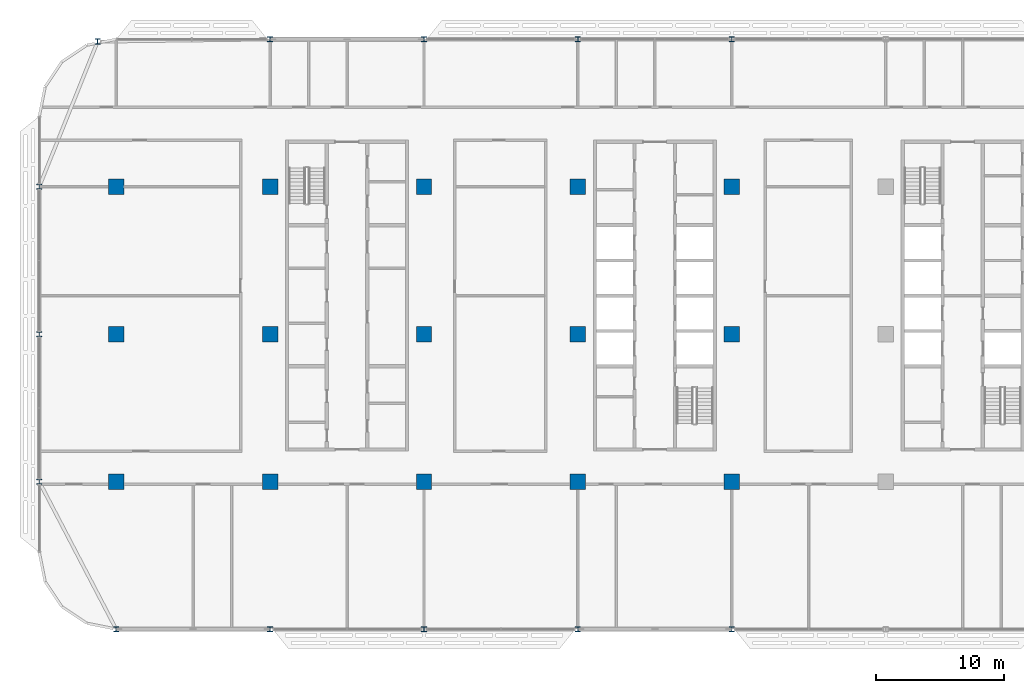
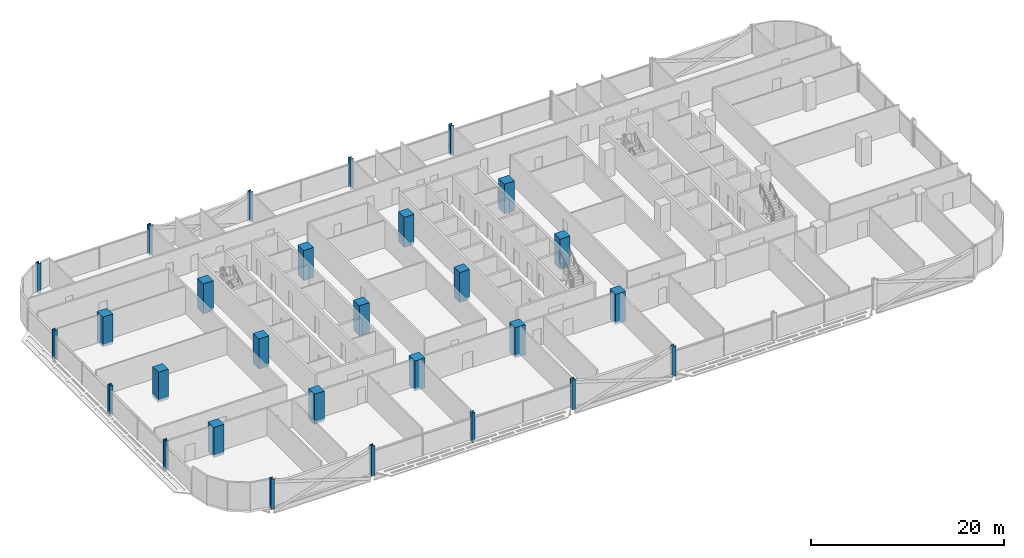
# One storey, part 1 of 27: 28 columns.
"""IFC4 building model written with IfcOpenShell, lengths in metres."""

from ifc_helpers import new_model, si_unit, direction, frame, origin, origin_2d, place, context, subcontext, project, spatial, rectangle, i_section, extrude, material, material_profile, profile_set, type_object, element, save


model = new_model("IFC4")

# Units and contexts
model_context = context("Model", 3, precision=1e-05, world=origin(), true_north=direction((0.0, 1.0)))
body_context = subcontext(model_context, "Body", "Model", "MODEL_VIEW")
ifc_project = project(units=[si_unit("LENGTHUNIT", "METRE"), si_unit("AREAUNIT", "SQUARE_METRE"), si_unit("VOLUMEUNIT", "CUBIC_METRE"), si_unit("PLANEANGLEUNIT", "RADIAN"), si_unit("MASSUNIT", "GRAM", prefix="KILO")], contexts=[model_context])

# Site, building, storey
site_placement = place(None, origin())
site = spatial("IfcSite", under=ifc_project, at=site_placement, CompositionType="ELEMENT")
building_placement = place(site_placement, origin())
building = spatial("IfcBuilding", under=site, at=building_placement, Name="Mahtab Terrace Research Tower", CompositionType="ELEMENT")
storey_placement = place(building_placement, frame((0.0, 0.0, 170.60009765625)))
storey = spatial("IfcBuildingStorey", under=building, at=storey_placement, Name="L40", CompositionType="ELEMENT", Elevation=170.60009765625)

# Columns
ifc_material_1 = material(Name="Concrete C70/85", Category="concrete")
ifc_material_profile_1 = material_profile(ifc_material_1, rectangle(XDim=1.199951171875, YDim=1.199951171875, at=origin_2d()), Name="RC column 1200x1200")
ifc_profile_set_1 = profile_set([ifc_material_profile_1], Name="Concrete C70/85")
column_type_1 = type_object("IfcColumnType", Name="RC column 1200x1200", PredefinedType="COLUMN", material=ifc_profile_set_1)
for number, where, z_axis, x_axis, name in (
    (1, (-42.0, -11.5, -0.340087890625), (0.0, 0.0, 1.0), (1.0, 0.0, 0.0), "Column RC-1A L40"),
    (2, (-42.0, 0.0, -0.340087890625), (0.0, 0.0, 1.0), (1.0, 0.0, 0.0), "Column RC-1B L40"),
    (3, (-42.0, 11.5, -0.340087890625), (0.0, 0.0, 1.0), (1.0, 0.0, 0.0), "Column RC-1C L40"),
    (4, (-30.0, -11.5, -0.340087890625), (0.0, 0.0, 1.0), (1.0, 0.0, 0.0), "Column RC-2A L40"),
    (5, (-30.0, 0.0, -0.340087890625), (0.0, 0.0, 1.0), (1.0, 0.0, 0.0), "Column RC-2B L40"),
    (6, (-30.0, 11.5, -0.340087890625), (0.0, 0.0, 1.0), (1.0, 0.0, 0.0), "Column RC-2C L40"),
    (7, (-18.0, -11.5, -0.340087890625), (0.0, 0.0, 1.0), (1.0, 0.0, 0.0), "Column RC-3A L40"),
    (8, (-18.0, 0.0, -0.340087890625), (0.0, 0.0, 1.0), (1.0, 0.0, 0.0), "Column RC-3B L40"),
    (9, (-18.0, 11.5, -0.340087890625), (0.0, 0.0, 1.0), (1.0, 0.0, 0.0), "Column RC-3C L40"),
    (10, (-6.0, -11.5, -0.340087890625), (0.0, 0.0, 1.0), (1.0, 0.0, 0.0), "Column RC-4A L40"),
    (11, (-6.0, 0.0, -0.340087890625), (0.0, 0.0, 1.0), (1.0, 0.0, 0.0), "Column RC-4B L40"),
    (12, (-6.0, 11.5, -0.340087890625), (0.0, 0.0, 1.0), (1.0, 0.0, 0.0), "Column RC-4C L40"),
    (13, (6.0, -11.5, -0.340087890625), (0.0, 0.0, 1.0), (1.0, 0.0, 0.0), "Column RC-5A L40"),
    (14, (6.0, 0.0, -0.340087890625), (0.0, 0.0, 1.0), (1.0, 0.0, 0.0), "Column RC-5B L40"),
    (15, (6.0, 11.5, -0.340087890625), (0.0, 0.0, 1.0), (1.0, 0.0, 0.0), "Column RC-5C L40"),
):
    element("IfcColumn", number, at=place(storey_placement, frame(where, z_axis=z_axis, x_axis=x_axis)), inside=storey, type_object=column_type_1, Name=name, PredefinedType="COLUMN", context=body_context, shape_type="SweptSolid", body=[
        extrude(rectangle(XDim=1.199951171875, YDim=1.199951171875, at=origin_2d()), origin(), (0.0, 0.0, 1.0), 3.800048828125),
    ])
ifc_material_2 = material(Name="Steel ASTM A992 Gr 50", Category="steel")
ifc_material_profile_2 = material_profile(ifc_material_2, i_section(OverallWidth=0.406494140625, OverallDepth=0.41650390625, WebThickness=0.030029296875, FlangeThickness=0.048095703125, at=origin_2d()), Name="W14X257")
ifc_profile_set_2 = profile_set([ifc_material_profile_2], Name="Steel ASTM A992 Gr 50")
column_type_2 = type_object("IfcColumnType", Name="W14x257 column CS14257", PredefinedType="COLUMN", material=ifc_profile_set_2)
for number, where, z_axis, x_axis, name in (
    (16, (6.0, 23.0, -0.340087890625), (0.0, 0.0, 1.0), (1.0, 0.0, 0.0), "Column SC-004 L40"),
    (17, (-6.0, 23.0, -0.340087890625), (0.0, 0.0, 1.0), (1.0, 0.0, 0.0), "Column SC-005 L40"),
    (18, (-18.0, 23.0, -0.340087890625), (0.0, 0.0, 1.0), (1.0, 0.0, 0.0), "Column SC-006 L40"),
    (19, (-30.0, 23.0, -0.340087890625), (0.0, 0.0, 1.0), (1.0, 0.0, 0.0), "Column SC-007 L40"),
    (20, (-43.447998046875, 22.822021484375, -0.340087890625), (0.0, 0.0, 1.0), (1.0, 0.0, 0.0), "Column SC-051 L40"),
    (21, (-48.0, 11.5, -0.340087890625), (0.0, 0.0, 1.0), (1.0, 0.0, 0.0), "Column SC-009 L40"),
    (22, (-48.0, 0.0, -0.340087890625), (0.0, 0.0, 1.0), (1.0, 0.0, 0.0), "Column SC-010 L40"),
    (23, (-48.0, -11.5, -0.340087890625), (0.0, 0.0, 1.0), (1.0, 0.0, 0.0), "Column SC-011 L40"),
    (24, (-42.0, -23.0, -0.340087890625), (0.0, 0.0, 1.0), (1.0, 0.0, 0.0), "Column SC-012 L40"),
    (25, (-30.0, -23.0, -0.340087890625), (0.0, 0.0, 1.0), (1.0, 0.0, 0.0), "Column SC-013 L40"),
    (26, (-18.0, -23.0, -0.340087890625), (0.0, 0.0, 1.0), (1.0, 0.0, 0.0), "Column SC-014 L40"),
    (27, (-6.0, -23.0, -0.340087890625), (0.0, 0.0, 1.0), (1.0, 0.0, 0.0), "Column SC-015 L40"),
    (28, (6.0, -23.0, -0.340087890625), (0.0, 0.0, 1.0), (1.0, 0.0, 0.0), "Column SC-016 L40"),
):
    element("IfcColumn", number, at=place(storey_placement, frame(where, z_axis=z_axis, x_axis=x_axis)), inside=storey, type_object=column_type_2, Name=name, PredefinedType="COLUMN", context=body_context, shape_type="SweptSolid", body=[
        extrude(i_section(OverallWidth=0.406494140625, OverallDepth=0.41650390625, WebThickness=0.030029296875, FlangeThickness=0.048095703125, at=origin_2d()), origin(), (0.0, 0.0, 1.0), 3.800048828125),
    ])

save(model, "model.ifc")
